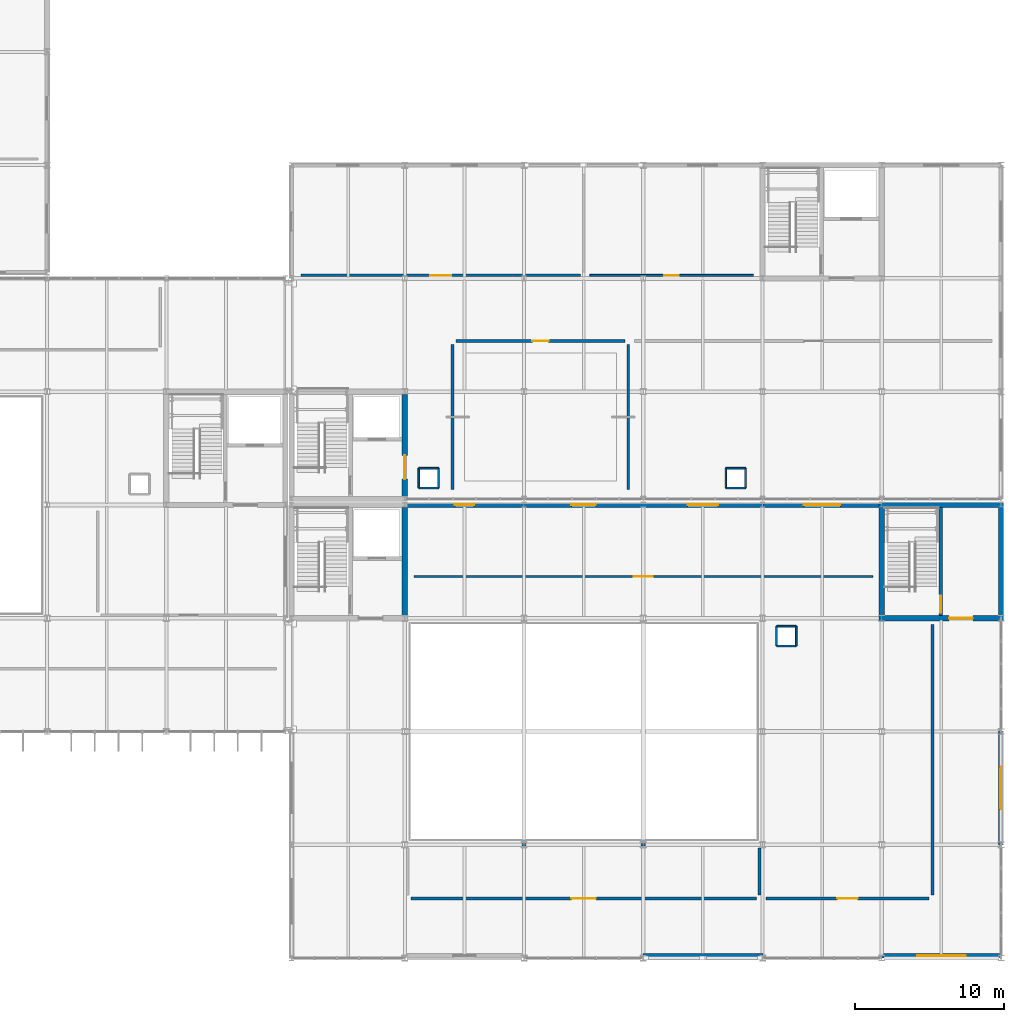
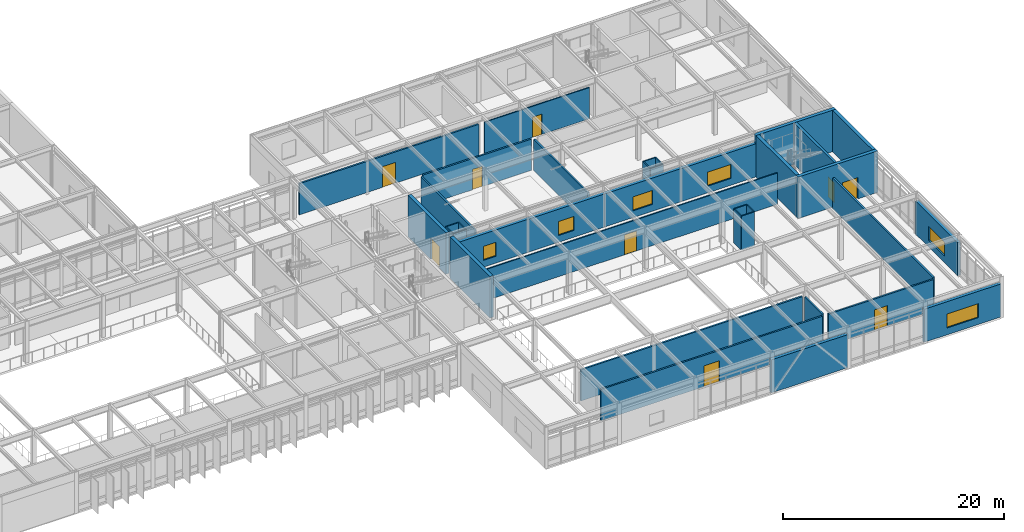
# One storey, part 88 of 104: 37 walls, 9 doors, 6 windows, 15 openings.
"""IFC4 building model written with IfcOpenShell, lengths in metres."""

from ifc_helpers import new_model, si_unit, direction, frame, frame_2d, origin, place, context, subcontext, project, spatial, rectangle, extrude, material, layer, layer_set, type_object, element, fill, save


model = new_model("IFC4")

# Units and contexts
model_context = context("Model", 3, precision=1e-05, world=origin(), true_north=direction((0.0, 1.0)))
body_context = subcontext(model_context, "Body", "Model", "MODEL_VIEW")
ifc_project = project(units=[si_unit("LENGTHUNIT", "METRE"), si_unit("AREAUNIT", "SQUARE_METRE"), si_unit("VOLUMEUNIT", "CUBIC_METRE"), si_unit("PLANEANGLEUNIT", "RADIAN"), si_unit("MASSUNIT", "GRAM", prefix="KILO")], contexts=[model_context])

# Site, building, storey
site_placement = place(None, origin())
site = spatial("IfcSite", under=ifc_project, at=site_placement, CompositionType="ELEMENT")
building_placement = place(site_placement, origin())
building = spatial("IfcBuilding", under=site, at=building_placement, Name="Zulena Civic Courthouse", CompositionType="ELEMENT")
storey_placement = place(building_placement, frame((0.0, 0.0, 10.800048828125)))
storey = spatial("IfcBuildingStorey", under=building, at=storey_placement, Name="L02", CompositionType="ELEMENT", Elevation=10.800048828125)

# Wall, opening, door
ifc_material_1 = material(Name="Concrete C40/50", Category="concrete")
ifc_layer_1 = layer(ifc_material_1, 0.25)
ifc_layer_set_1 = layer_set([ifc_layer_1], Name="Concrete C40/50")
wall_type_1 = type_object("IfcWallType", Name="CoreShearWall_RC250", PredefinedType="SHEAR", material=ifc_layer_set_1)
wall_1_placement = place(storey_placement, frame((167.949951171875, 22.97509765625, 0.0), z_axis=(0.0, 0.0, 1.0), x_axis=(0.0, 1.0, 0.0)))
wall_1 = element("IfcWall", 1, at=wall_1_placement, inside=storey, type_object=wall_type_1, Name="cwall:K1B:L02:DIV", PredefinedType="SHEAR", context=body_context, shape_type="SweptSolid", body=[
    extrude(rectangle(XDim=7.25, YDim=0.25, at=frame_2d((3.625, 0.0))), origin(), (0.0, 0.0, 1.0), 4.58984375),
])
opening_1_placement = place(wall_1_placement, frame((0.179931640625, 0.0, 0.0)))
opening_1 = element("IfcOpeningElement", 2, at=opening_1_placement, cuts=wall_1, Name="Opening ID08", PredefinedType="OPENING", context=body_context, shape_type="SweptSolid", body=[
    extrude(rectangle(XDim=1.14990234375, YDim=2.199951171875, at=frame_2d((0.574951171875, 1.10009765625))), frame((0.0, 0.135009765625, 0.0), z_axis=(0.0, -1.0, 0.0), x_axis=(1.0, 0.0, 0.0)), (0.0, 0.0, 1.0), 0.27001953125),
])
ifc_material_2 = material(Name="Fire-rated galvanised steel ASTM A653 Grade 50", Category="steel")
door_type_1 = type_object("IfcDoorType", Name="IntDoor_Stair_1150x2200", OperationType="NOTDEFINED", PredefinedType="DOOR", material=ifc_material_2)
door_1_placement = place(opening_1_placement, origin())
door_1 = element("IfcDoor", 3, at=door_1_placement, inside=storey, type_object=door_type_1, Name="door:stair:K1B:L02", OperationType="SINGLE_SWING_LEFT", OverallHeight=2.199951171875, OverallWidth=1.14990234375, PredefinedType="DOOR", context=body_context, shape_type="SweptSolid", body=[
    extrude(rectangle(XDim=1.14990234375, YDim=2.199951171875, at=frame_2d((0.574951171875, 1.10009765625))), frame((0.0, 0.02490234375, 0.0), z_axis=(0.0, -1.0, 0.0), x_axis=(1.0, 0.0, 0.0)), (0.0, 0.0, 1.0), 0.050048828125),
])
fill(opening_1, door_1)

# Wall
ifc_layer_2 = layer(ifc_material_1, 0.35009765625)
ifc_layer_set_2 = layer_set([ifc_layer_2], Name="Concrete C40/50")
wall_type_2 = type_object("IfcWallType", Name="CoreShearWall_RC350", PredefinedType="SHEAR", material=ifc_layer_set_2)
wall_2_placement = place(storey_placement, frame((132.0, 22.97509765625, 0.0), z_axis=(0.0, 0.0, 1.0), x_axis=(0.0, 1.0, 0.0)))
element("IfcWall", 4, at=wall_2_placement, inside=storey, type_object=wall_type_2, Name="cwall:K1A:L02:E", PredefinedType="SHEAR", context=body_context, shape_type="SweptSolid", body=[
    extrude(rectangle(XDim=7.25, YDim=0.35009765625, at=frame_2d((3.625, 0.0))), origin(), (0.0, 0.0, 1.0), 4.58984375),
])

# Wall, opening, door
wall_3_placement = place(storey_placement, frame((163.824951171875, 22.800048828125, 0.0), z_axis=(0.0, 0.0, 1.0), x_axis=(1.0, 0.0, 0.0)))
wall_3 = element("IfcWall", 5, at=wall_3_placement, inside=storey, type_object=wall_type_2, Name="cwall:K1B:L02:S", PredefinedType="SHEAR", context=body_context, shape_type="SweptSolid", body=[
    extrude(rectangle(XDim=8.35009765625, YDim=0.35009765625, at=frame_2d((4.175048828125, 0.0))), origin(), (0.0, 0.0, 1.0), 4.58984375),
])
opening_2_placement = place(wall_3_placement, frame((4.68505859375, 0.0, 0.0)))
opening_2 = element("IfcOpeningElement", 6, at=opening_2_placement, cuts=wall_3, Name="Opening ID04", PredefinedType="OPENING", context=body_context, shape_type="SweptSolid", body=[
    extrude(rectangle(XDim=1.60009765625, YDim=2.35009765625, at=frame_2d((0.800048828125, 1.175048828125))), frame((0.0, 0.18505859375, 0.0), z_axis=(0.0, -1.0, 0.0), x_axis=(1.0, 0.0, 0.0)), (0.0, 0.0, 1.0), 0.3701171875),
])
ifc_material_3 = material(Name="Solid-core acoustic hardwood timber", Category="wood")
door_type_2 = type_object("IfcDoorType", Name="IntDoor_CourtPublic_1600x2350", OperationType="DOUBLE_DOOR_SINGLE_SWING", PredefinedType="DOOR", material=ifc_material_3)
door_2_placement = place(opening_2_placement, origin())
door_2 = element("IfcDoor", 7, at=door_2_placement, inside=storey, type_object=door_type_2, Name="door:corelob:K1B:L02", OperationType="DOUBLE_DOOR_SINGLE_SWING", OverallHeight=2.35009765625, OverallWidth=1.60009765625, PredefinedType="DOOR", context=body_context, shape_type="SweptSolid", body=[
    extrude(rectangle(XDim=1.60009765625, YDim=2.35009765625, at=frame_2d((0.800048828125, 1.175048828125))), frame((0.0, 0.02490234375, 0.0), z_axis=(0.0, -1.0, 0.0), x_axis=(1.0, 0.0, 0.0)), (0.0, 0.0, 1.0), 0.050048828125),
])
fill(opening_2, door_2)

# Walls
wall_4_placement = place(storey_placement, frame((163.824951171875, 30.39990234375, 0.0), z_axis=(0.0, 0.0, 1.0), x_axis=(1.0, 0.0, 0.0)))
element("IfcWall", 8, at=wall_4_placement, inside=storey, type_object=wall_type_2, Name="cwall:K1B:L02:N", PredefinedType="SHEAR", context=body_context, shape_type="SweptSolid", body=[
    extrude(rectangle(XDim=8.35009765625, YDim=0.35009765625, at=frame_2d((4.175048828125, 0.0))), origin(), (0.0, 0.0, 1.0), 4.58984375),
])
for number, where, z_axis, x_axis, name in (
    (9, (164.0, 22.97509765625, 0.0), (0.0, 0.0, 1.0), (0.0, 1.0, 0.0), "cwall:K1B:L02:W"),
    (10, (172.0, 22.97509765625, 0.0), (0.0, 0.0, 1.0), (0.0, 1.0, 0.0), "cwall:K1B:L02:E"),
):
    element("IfcWall", number, at=place(storey_placement, frame(where, z_axis=z_axis, x_axis=x_axis)), inside=storey, type_object=wall_type_2, Name=name, PredefinedType="SHEAR", context=body_context, shape_type="SweptSolid", body=[
        extrude(rectangle(XDim=7.25, YDim=0.35009765625, at=frame_2d((3.625, 0.0))), origin(), (0.0, 0.0, 1.0), 4.58984375),
    ])

# Wall, opening, door
wall_5_placement = place(storey_placement, frame((132.0, 30.97509765625, 0.0), z_axis=(0.0, 0.0, 1.0), x_axis=(0.0, 1.0, 0.0)))
wall_5 = element("IfcWall", 11, at=wall_5_placement, inside=storey, type_object=wall_type_2, Name="cwall:K3A:L02:E", PredefinedType="SHEAR", context=body_context, shape_type="SweptSolid", body=[
    extrude(rectangle(XDim=6.849853515625, YDim=0.35009765625, at=frame_2d((3.4248046875, 0.0))), origin(), (0.0, 0.0, 1.0), 4.58984375),
])
opening_3_placement = place(wall_5_placement, frame((1.14990234375, 0.0, 0.0)))
opening_3 = element("IfcOpeningElement", 12, at=opening_3_placement, cuts=wall_5, Name="Opening ID04", PredefinedType="OPENING", context=body_context, shape_type="SweptSolid", body=[
    extrude(rectangle(XDim=1.60009765625, YDim=2.35009765625, at=frame_2d((0.800048828125, 1.175048828125))), frame((0.0, 0.18505859375, 0.0), z_axis=(0.0, -1.0, 0.0), x_axis=(1.0, 0.0, 0.0)), (0.0, 0.0, 1.0), 0.3701171875),
])
door_3_placement = place(opening_3_placement, origin())
door_3 = element("IfcDoor", 13, at=door_3_placement, inside=storey, type_object=door_type_2, Name="door:corelob:K3A:L02", OperationType="DOUBLE_DOOR_SINGLE_SWING", OverallHeight=2.35009765625, OverallWidth=1.60009765625, PredefinedType="DOOR", context=body_context, shape_type="SweptSolid", body=[
    extrude(rectangle(XDim=1.60009765625, YDim=2.35009765625, at=frame_2d((0.800048828125, 1.175048828125))), frame((0.0, 0.02490234375, 0.0), z_axis=(0.0, -1.0, 0.0), x_axis=(1.0, 0.0, 0.0)), (0.0, 0.0, 1.0), 0.050048828125),
])
fill(opening_3, door_3)

# Wall, opening, window
ifc_material_4 = material(Name="Terracotta-rose architectural precast concrete C40/50", Category="masonry")
ifc_layer_3 = layer(ifc_material_4, 0.320068359375)
ifc_layer_set_3 = layer_set([ifc_layer_3], Name="Terracotta-rose architectural precast concrete C40/50")
wall_type_3 = type_object("IfcWallType", Name="ExtWall_TerraPrecast_320", PredefinedType="STANDARD", material=ifc_layer_set_3)
wall_6_placement = place(storey_placement, frame((131.97998046875, 30.39990234375, 0.0), z_axis=(0.0, 0.0, 1.0), x_axis=(1.0, 0.0, 0.0)))
wall_6 = element("IfcWall", 14, at=wall_6_placement, inside=storey, type_object=wall_type_3, Name="ewall:V1:L02:1:1", PredefinedType="STANDARD", context=body_context, shape_type="SweptSolid", body=[
    extrude(rectangle(XDim=8.0400390625, YDim=0.320068359375, at=frame_2d((4.02001953125, 0.0))), origin(), (0.0, 0.0, 1.0), 3.659912109375),
])
opening_4_placement = place(wall_6_placement, frame((3.3701171875, 0.0, 0.75)))
opening_4 = element("IfcOpeningElement", 15, at=opening_4_placement, cuts=wall_6, Name="Opening WN24", PredefinedType="OPENING", context=body_context, shape_type="SweptSolid", body=[
    extrude(rectangle(XDim=1.300048828125, YDim=1.550048828125, at=frame_2d((0.64990234375, 0.77490234375))), frame((0.0, 0.169921875, 0.0), z_axis=(0.0, -1.0, 0.0), x_axis=(1.0, 0.0, 0.0)), (0.0, 0.0, 1.0), 0.340087890625),
])
ifc_material_5 = material(Name="Double-silver low-E laminated solar-control glass", Category="glass")
window_type_1 = type_object("IfcWindowType", Name="Win_1300x1550", PartitioningType="SINGLE_PANEL", PredefinedType="WINDOW", material=ifc_material_5)
window_1_placement = place(opening_4_placement, origin())
window_1 = element("IfcWindow", 16, at=window_1_placement, inside=storey, type_object=window_type_1, Name="win:V1:L02:1:1", OverallHeight=1.550048828125, OverallWidth=1.300048828125, PartitioningType="SINGLE_PANEL", PredefinedType="WINDOW", context=body_context, shape_type="SweptSolid", body=[
    extrude(rectangle(XDim=1.300048828125, YDim=1.550048828125, at=frame_2d((0.64990234375, 0.77490234375))), frame((0.0, 0.030029296875, 0.0), z_axis=(0.0, -1.0, 0.0), x_axis=(1.0, 0.0, 0.0)), (0.0, 0.0, 1.0), 0.06005859375),
])
fill(opening_4, window_1)

wall_7_placement = place(storey_placement, frame((139.97998046875, 30.39990234375, 0.0), z_axis=(0.0, 0.0, 1.0), x_axis=(1.0, 0.0, 0.0)))
wall_7 = element("IfcWall", 17, at=wall_7_placement, inside=storey, type_object=wall_type_3, Name="ewall:V1:L02:1:2", PredefinedType="STANDARD", context=body_context, shape_type="SweptSolid", body=[
    extrude(rectangle(XDim=8.0400390625, YDim=0.320068359375, at=frame_2d((4.02001953125, 0.0))), origin(), (0.0, 0.0, 1.0), 3.659912109375),
])
opening_5_placement = place(wall_7_placement, frame((3.195068359375, 0.0, 0.75)))
opening_5 = element("IfcOpeningElement", 18, at=opening_5_placement, cuts=wall_7, Name="Opening WN25", PredefinedType="OPENING", context=body_context, shape_type="SweptSolid", body=[
    extrude(rectangle(XDim=1.64990234375, YDim=1.550048828125, at=frame_2d((0.824951171875, 0.77490234375))), frame((0.0, 0.169921875, 0.0), z_axis=(0.0, -1.0, 0.0), x_axis=(1.0, 0.0, 0.0)), (0.0, 0.0, 1.0), 0.340087890625),
])
window_type_2 = type_object("IfcWindowType", Name="Win_1650x1550", PartitioningType="SINGLE_PANEL", PredefinedType="WINDOW", material=ifc_material_5)
window_2_placement = place(opening_5_placement, origin())
window_2 = element("IfcWindow", 19, at=window_2_placement, inside=storey, type_object=window_type_2, Name="win:V1:L02:1:2", OverallHeight=1.550048828125, OverallWidth=1.64990234375, PartitioningType="SINGLE_PANEL", PredefinedType="WINDOW", context=body_context, shape_type="SweptSolid", body=[
    extrude(rectangle(XDim=1.64990234375, YDim=1.550048828125, at=frame_2d((0.824951171875, 0.77490234375))), frame((0.0, 0.030029296875, 0.0), z_axis=(0.0, -1.0, 0.0), x_axis=(1.0, 0.0, 0.0)), (0.0, 0.0, 1.0), 0.06005859375),
])
fill(opening_5, window_2)

wall_8_placement = place(storey_placement, frame((147.97998046875, 30.39990234375, 0.0), z_axis=(0.0, 0.0, 1.0), x_axis=(1.0, 0.0, 0.0)))
wall_8 = element("IfcWall", 20, at=wall_8_placement, inside=storey, type_object=wall_type_3, Name="ewall:V1:L02:1:3", PredefinedType="STANDARD", context=body_context, shape_type="SweptSolid", body=[
    extrude(rectangle(XDim=8.0400390625, YDim=0.320068359375, at=frame_2d((4.02001953125, 0.0))), origin(), (0.0, 0.0, 1.0), 3.659912109375),
])
opening_6_placement = place(wall_8_placement, frame((2.9951171875, 0.0, 0.75)))
opening_6 = element("IfcOpeningElement", 21, at=opening_6_placement, cuts=wall_8, Name="Opening WN26", PredefinedType="OPENING", context=body_context, shape_type="SweptSolid", body=[
    extrude(rectangle(XDim=2.050048828125, YDim=1.550048828125, at=frame_2d((1.02490234375, 0.77490234375))), frame((0.0, 0.169921875, 0.0), z_axis=(0.0, -1.0, 0.0), x_axis=(1.0, 0.0, 0.0)), (0.0, 0.0, 1.0), 0.340087890625),
])
window_type_3 = type_object("IfcWindowType", Name="Win_2050x1550", PartitioningType="DOUBLE_PANEL_VERTICAL", PredefinedType="WINDOW", material=ifc_material_5)
window_3_placement = place(opening_6_placement, origin())
window_3 = element("IfcWindow", 22, at=window_3_placement, inside=storey, type_object=window_type_3, Name="win:V1:L02:1:3", OverallHeight=1.550048828125, OverallWidth=2.050048828125, PartitioningType="SINGLE_PANEL", PredefinedType="WINDOW", context=body_context, shape_type="SweptSolid", body=[
    extrude(rectangle(XDim=2.050048828125, YDim=1.550048828125, at=frame_2d((1.02490234375, 0.77490234375))), frame((0.0, 0.030029296875, 0.0), z_axis=(0.0, -1.0, 0.0), x_axis=(1.0, 0.0, 0.0)), (0.0, 0.0, 1.0), 0.06005859375),
])
fill(opening_6, window_3)

wall_9_placement = place(storey_placement, frame((155.97998046875, 30.39990234375, 0.0), z_axis=(0.0, 0.0, 1.0), x_axis=(1.0, 0.0, 0.0)))
wall_9 = element("IfcWall", 23, at=wall_9_placement, inside=storey, type_object=wall_type_3, Name="ewall:V1:L02:1:4", PredefinedType="STANDARD", context=body_context, shape_type="SweptSolid", body=[
    extrude(rectangle(XDim=8.0400390625, YDim=0.320068359375, at=frame_2d((4.02001953125, 0.0))), origin(), (0.0, 0.0, 1.0), 3.659912109375),
])
opening_7_placement = place(wall_9_placement, frame((2.794921875, 0.0, 0.75)))
opening_7 = element("IfcOpeningElement", 24, at=opening_7_placement, cuts=wall_9, Name="Opening WN27", PredefinedType="OPENING", context=body_context, shape_type="SweptSolid", body=[
    extrude(rectangle(XDim=2.449951171875, YDim=1.550048828125, at=frame_2d((1.22509765625, 0.77490234375))), frame((0.0, 0.169921875, 0.0), z_axis=(0.0, -1.0, 0.0), x_axis=(1.0, 0.0, 0.0)), (0.0, 0.0, 1.0), 0.340087890625),
])
window_type_4 = type_object("IfcWindowType", Name="Win_2450x1550", PartitioningType="DOUBLE_PANEL_VERTICAL", PredefinedType="WINDOW", material=ifc_material_5)
window_4_placement = place(opening_7_placement, origin())
window_4 = element("IfcWindow", 25, at=window_4_placement, inside=storey, type_object=window_type_4, Name="win:V1:L02:1:4", OverallHeight=1.550048828125, OverallWidth=2.449951171875, PartitioningType="SINGLE_PANEL", PredefinedType="WINDOW", context=body_context, shape_type="SweptSolid", body=[
    extrude(rectangle(XDim=2.449951171875, YDim=1.550048828125, at=frame_2d((1.22509765625, 0.77490234375))), frame((0.0, 0.030029296875, 0.0), z_axis=(0.0, -1.0, 0.0), x_axis=(1.0, 0.0, 0.0)), (0.0, 0.0, 1.0), 0.06005859375),
])
fill(opening_7, window_4)

wall_10_placement = place(storey_placement, frame((172.0, 15.219970703125, 0.0), z_axis=(0.0, 0.0, 1.0), x_axis=(0.0, -1.0, 0.0)))
wall_10 = element("IfcWall", 26, at=wall_10_placement, inside=storey, type_object=wall_type_3, Name="ewall:V1:L02:2:2", PredefinedType="STANDARD", context=body_context, shape_type="SweptSolid", body=[
    extrude(rectangle(XDim=7.639892578125, YDim=0.320068359375, at=frame_2d((3.81982421875, 0.0))), origin(), (0.0, 0.0, 1.0), 3.659912109375),
])
opening_8_placement = place(wall_10_placement, frame((2.39501953125, 0.0, 0.75)))
opening_8 = element("IfcOpeningElement", 27, at=opening_8_placement, cuts=wall_10, Name="Opening WN28", PredefinedType="OPENING", context=body_context, shape_type="SweptSolid", body=[
    extrude(rectangle(XDim=2.85009765625, YDim=1.550048828125, at=frame_2d((1.425048828125, 0.77490234375))), frame((0.0, 0.169921875, 0.0), z_axis=(0.0, -1.0, 0.0), x_axis=(1.0, 0.0, 0.0)), (0.0, 0.0, 1.0), 0.340087890625),
])
window_type_5 = type_object("IfcWindowType", Name="Win_2850x1550", PartitioningType="DOUBLE_PANEL_VERTICAL", PredefinedType="WINDOW", material=ifc_material_5)
window_5_placement = place(opening_8_placement, origin())
window_5 = element("IfcWindow", 28, at=window_5_placement, inside=storey, type_object=window_type_5, Name="win:V1:L02:2:2", OverallHeight=1.550048828125, OverallWidth=2.85009765625, PartitioningType="SINGLE_PANEL", PredefinedType="WINDOW", context=body_context, shape_type="SweptSolid", body=[
    extrude(rectangle(XDim=2.85009765625, YDim=1.550048828125, at=frame_2d((1.425048828125, 0.77490234375))), frame((0.0, 0.030029296875, 0.0), z_axis=(0.0, -1.0, 0.0), x_axis=(1.0, 0.0, 0.0)), (0.0, 0.0, 1.0), 0.06005859375),
])
fill(opening_8, window_5)

wall_11_placement = place(storey_placement, frame((172.02001953125, 0.159912109375, 0.0), z_axis=(0.0, 0.0, 1.0), x_axis=(-1.0, 0.0, 0.0)))
wall_11 = element("IfcWall", 29, at=wall_11_placement, inside=storey, type_object=wall_type_3, Name="ewall:V1:L02:3:0", PredefinedType="STANDARD", context=body_context, shape_type="SweptSolid", body=[
    extrude(rectangle(XDim=8.0400390625, YDim=0.320068359375, at=frame_2d((4.02001953125, 0.0))), origin(), (0.0, 0.0, 1.0), 3.659912109375),
])
opening_9_placement = place(wall_11_placement, frame((2.39501953125, 0.0, 0.75)))
opening_9 = element("IfcOpeningElement", 30, at=opening_9_placement, cuts=wall_11, Name="Opening WN29", PredefinedType="OPENING", context=body_context, shape_type="SweptSolid", body=[
    extrude(rectangle(XDim=3.25, YDim=1.550048828125, at=frame_2d((1.625, 0.77490234375))), frame((0.0, 0.169921875, 0.0), z_axis=(0.0, -1.0, 0.0), x_axis=(1.0, 0.0, 0.0)), (0.0, 0.0, 1.0), 0.340087890625),
])
window_type_6 = type_object("IfcWindowType", Name="Win_3250x1550", PartitioningType="DOUBLE_PANEL_VERTICAL", PredefinedType="WINDOW", material=ifc_material_5)
window_6_placement = place(opening_9_placement, origin())
window_6 = element("IfcWindow", 31, at=window_6_placement, inside=storey, type_object=window_type_6, Name="win:V1:L02:3:0", OverallHeight=1.550048828125, OverallWidth=3.25, PartitioningType="SINGLE_PANEL", PredefinedType="WINDOW", context=body_context, shape_type="SweptSolid", body=[
    extrude(rectangle(XDim=3.25, YDim=1.550048828125, at=frame_2d((1.625, 0.77490234375))), frame((0.0, 0.030029296875, 0.0), z_axis=(0.0, -1.0, 0.0), x_axis=(1.0, 0.0, 0.0)), (0.0, 0.0, 1.0), 0.06005859375),
])
fill(opening_9, window_6)

# Wall
wall_12_placement = place(storey_placement, frame((156.02001953125, 0.159912109375, 0.0), z_axis=(0.0, 0.0, 1.0), x_axis=(-1.0, 0.0, 0.0)))
element("IfcWall", 32, at=wall_12_placement, inside=storey, type_object=wall_type_3, Name="ewall:V1:L02:3:2", PredefinedType="STANDARD", context=body_context, shape_type="SweptSolid", body=[
    extrude(rectangle(XDim=8.0400390625, YDim=0.320068359375, at=frame_2d((4.02001953125, 0.0))), origin(), (0.0, 0.0, 1.0), 3.659912109375),
])

# Wall, opening, door
ifc_material_6 = material(Name="Acoustic fire-rated gypsum board assembly", Category="masonry")
ifc_layer_4 = layer(ifc_material_6, 0.177978515625)
ifc_layer_set_4 = layer_set([ifc_layer_4], Name="Acoustic fire-rated gypsum board assembly")
wall_type_4 = type_object("IfcWallType", Name="PartWall_Corridor_178", PredefinedType="PARTITIONING", material=ifc_layer_set_4)
wall_13_placement = place(storey_placement, frame((132.419921875, 4.0, 0.0), z_axis=(0.0, 0.0, 1.0), x_axis=(1.0, 0.0, 0.0)))
wall_13 = element("IfcWall", 33, at=wall_13_placement, inside=storey, type_object=wall_type_4, Name="pwall:L02:222:0", PredefinedType="PARTITIONING", context=body_context, shape_type="SweptSolid", body=[
    extrude(rectangle(XDim=23.16015625, YDim=0.177978515625, at=frame_2d((11.580078125, 0.0))), origin(), (0.0, 0.0, 1.0), 3.449951171875),
])
opening_10_placement = place(wall_13_placement, frame((10.7548828125, 0.0, 0.0)))
opening_10 = element("IfcOpeningElement", 34, at=opening_10_placement, cuts=wall_13, Name="Opening ID18", PredefinedType="OPENING", context=body_context, shape_type="SweptSolid", body=[
    extrude(rectangle(XDim=1.64990234375, YDim=2.300048828125, at=frame_2d((0.824951171875, 1.14990234375))), frame((0.0, 0.098876953125, 0.0), z_axis=(0.0, -1.0, 0.0), x_axis=(1.0, 0.0, 0.0)), (0.0, 0.0, 1.0), 0.197998046875),
])
door_type_3 = type_object("IfcDoorType", Name="IntDoor_Library_1650x2300", OperationType="DOUBLE_DOOR_SINGLE_SWING", PredefinedType="DOOR", material=ifc_material_3)
door_4_placement = place(opening_10_placement, origin())
door_4 = element("IfcDoor", 35, at=door_4_placement, inside=storey, type_object=door_type_3, Name="door:rm:L02:222", OperationType="DOUBLE_DOOR_SINGLE_SWING", OverallHeight=2.300048828125, OverallWidth=1.64990234375, PredefinedType="DOOR", context=body_context, shape_type="SweptSolid", body=[
    extrude(rectangle(XDim=1.64990234375, YDim=2.300048828125, at=frame_2d((0.824951171875, 1.14990234375))), frame((0.0, 0.02490234375, 0.0), z_axis=(0.0, -1.0, 0.0), x_axis=(1.0, 0.0, 0.0)), (0.0, 0.0, 1.0), 0.050048828125),
])
fill(opening_10, door_4)

# Walls
wall_14_placement = place(storey_placement, frame((132.419921875, 7.60009765625, 0.0), z_axis=(0.0, 0.0, 1.0), x_axis=(1.0, 0.0, 0.0)))
element("IfcWall", 36, at=wall_14_placement, inside=storey, type_object=wall_type_4, Name="pwall:L02:222:2", PredefinedType="PARTITIONING", context=body_context, shape_type="SweptSolid", body=[
    extrude(rectangle(XDim=23.16015625, YDim=0.177978515625, at=frame_2d((11.580078125, 0.0))), origin(), (0.0, 0.0, 1.0), 3.449951171875),
])
wall_15_placement = place(storey_placement, frame((155.800048828125, 4.219970703125, 0.0), z_axis=(0.0, 0.0, 1.0), x_axis=(0.0, 1.0, 0.0)))
element("IfcWall", 37, at=wall_15_placement, inside=storey, type_object=wall_type_4, Name="pwall:L02:222:3", PredefinedType="PARTITIONING", context=body_context, shape_type="SweptSolid", body=[
    extrude(rectangle(XDim=3.159912109375, YDim=0.177978515625, at=frame_2d((1.580078125, 0.0))), origin(), (0.0, 0.0, 1.0), 3.449951171875),
])

# Wall, opening, door
wall_16_placement = place(storey_placement, frame((156.219970703125, 4.0, 0.0), z_axis=(0.0, 0.0, 1.0), x_axis=(1.0, 0.0, 0.0)))
wall_16 = element("IfcWall", 38, at=wall_16_placement, inside=storey, type_object=wall_type_4, Name="pwall:L02:223:0", PredefinedType="PARTITIONING", context=body_context, shape_type="SweptSolid", body=[
    extrude(rectangle(XDim=10.9599609375, YDim=0.177978515625, at=frame_2d((5.47998046875, 0.0))), origin(), (0.0, 0.0, 1.0), 3.449951171875),
])
opening_11_placement = place(wall_16_placement, frame((4.804931640625, 0.0, 0.0)))
opening_11 = element("IfcOpeningElement", 39, at=opening_11_placement, cuts=wall_16, Name="Opening ID19", PredefinedType="OPENING", context=body_context, shape_type="SweptSolid", body=[
    extrude(rectangle(XDim=1.35009765625, YDim=2.25, at=frame_2d((0.675048828125, 1.125))), frame((0.0, 0.098876953125, 0.0), z_axis=(0.0, -1.0, 0.0), x_axis=(1.0, 0.0, 0.0)), (0.0, 0.0, 1.0), 0.197998046875),
])
door_type_4 = type_object("IfcDoorType", Name="IntDoor_Library_1350x2250", OperationType="NOTDEFINED", PredefinedType="DOOR", material=ifc_material_3)
door_5_placement = place(opening_11_placement, origin())
door_5 = element("IfcDoor", 40, at=door_5_placement, inside=storey, type_object=door_type_4, Name="door:rm:L02:223", OperationType="SINGLE_SWING_RIGHT", OverallHeight=2.25, OverallWidth=1.35009765625, PredefinedType="DOOR", context=body_context, shape_type="SweptSolid", body=[
    extrude(rectangle(XDim=1.35009765625, YDim=2.25, at=frame_2d((0.675048828125, 1.125))), frame((0.0, 0.02490234375, 0.0), z_axis=(0.0, -1.0, 0.0), x_axis=(1.0, 0.0, 0.0)), (0.0, 0.0, 1.0), 0.050048828125),
])
fill(opening_11, door_5)

# Wall
wall_17_placement = place(storey_placement, frame((167.39990234375, 4.219970703125, 0.0), z_axis=(0.0, 0.0, 1.0), x_axis=(0.0, 1.0, 0.0)))
element("IfcWall", 41, at=wall_17_placement, inside=storey, type_object=wall_type_4, Name="pwall:L02:223:1", PredefinedType="PARTITIONING", context=body_context, shape_type="SweptSolid", body=[
    extrude(rectangle(XDim=18.159912109375, YDim=0.177978515625, at=frame_2d((9.080078125, 0.0))), origin(), (0.0, 0.0, 1.0), 3.449951171875),
])

# Wall, opening, door
wall_18_placement = place(storey_placement, frame((135.419921875, 41.39990234375, 0.0), z_axis=(0.0, 0.0, 1.0), x_axis=(1.0, 0.0, 0.0)))
wall_18 = element("IfcWall", 42, at=wall_18_placement, inside=storey, type_object=wall_type_4, Name="pwall:L02:269:0", PredefinedType="PARTITIONING", context=body_context, shape_type="SweptSolid", body=[
    extrude(rectangle(XDim=11.360107421875, YDim=0.177978515625, at=frame_2d((5.68017578125, 0.0))), origin(), (0.0, 0.0, 1.0), 3.449951171875),
])
opening_12_placement = place(wall_18_placement, frame((5.139892578125, 0.0, 0.0)))
opening_12 = element("IfcOpeningElement", 43, at=opening_12_placement, cuts=wall_18, Name="Opening ID26", PredefinedType="OPENING", context=body_context, shape_type="SweptSolid", body=[
    extrude(rectangle(XDim=1.080078125, YDim=2.25, at=frame_2d((0.5400390625, 1.125))), frame((0.0, 0.098876953125, 0.0), z_axis=(0.0, -1.0, 0.0), x_axis=(1.0, 0.0, 0.0)), (0.0, 0.0, 1.0), 0.197998046875),
])
door_type_5 = type_object("IfcDoorType", Name="IntDoor_PlantSingle_1080x2250", OperationType="NOTDEFINED", PredefinedType="DOOR", material=ifc_material_2)
door_6_placement = place(opening_12_placement, origin())
door_6 = element("IfcDoor", 44, at=door_6_placement, inside=storey, type_object=door_type_5, Name="door:rm:L02:269", OperationType="SINGLE_SWING_RIGHT", OverallHeight=2.25, OverallWidth=1.080078125, PredefinedType="DOOR", context=body_context, shape_type="SweptSolid", body=[
    extrude(rectangle(XDim=1.080078125, YDim=2.25, at=frame_2d((0.5400390625, 1.125))), frame((0.0, 0.02490234375, 0.0), z_axis=(0.0, -1.0, 0.0), x_axis=(1.0, 0.0, 0.0)), (0.0, 0.0, 1.0), 0.050048828125),
])
fill(opening_12, door_6)

# Walls
for number, where, z_axis, x_axis, name in (
    (45, (147.0, 31.419921875, 0.0), (0.0, 0.0, 1.0), (0.0, 1.0, 0.0), "pwall:L02:269:1"),
    (46, (135.199951171875, 31.419921875, 0.0), (0.0, 0.0, 1.0), (0.0, 1.0, 0.0), "pwall:L02:269:2"),
):
    element("IfcWall", number, at=place(storey_placement, frame(where, z_axis=z_axis, x_axis=x_axis)), inside=storey, type_object=wall_type_4, Name=name, PredefinedType="PARTITIONING", context=body_context, shape_type="SweptSolid", body=[
        extrude(rectangle(XDim=9.760009765625, YDim=0.177978515625, at=frame_2d((4.8798828125, 0.0))), origin(), (0.0, 0.0, 1.0), 3.449951171875),
    ])

# Wall, opening, door
wall_19_placement = place(storey_placement, frame((125.02001953125, 45.800048828125, 0.0), z_axis=(0.0, 0.0, 1.0), x_axis=(1.0, 0.0, 0.0)))
wall_19 = element("IfcWall", 47, at=wall_19_placement, inside=storey, type_object=wall_type_4, Name="pwall:L02:271:0", PredefinedType="PARTITIONING", context=body_context, shape_type="SweptSolid", body=[
    extrude(rectangle(XDim=18.760009765625, YDim=0.177978515625, at=frame_2d((9.3798828125, 0.0))), origin(), (0.0, 0.0, 1.0), 3.449951171875),
])
opening_13_placement = place(wall_19_placement, frame((8.679931640625, 0.0, 0.0)))
opening_13 = element("IfcOpeningElement", 48, at=opening_13_placement, cuts=wall_19, Name="Opening ID28", PredefinedType="OPENING", context=body_context, shape_type="SweptSolid", body=[
    extrude(rectangle(XDim=1.39990234375, YDim=2.300048828125, at=frame_2d((0.699951171875, 1.14990234375))), frame((0.0, 0.098876953125, 0.0), z_axis=(0.0, -1.0, 0.0), x_axis=(1.0, 0.0, 0.0)), (0.0, 0.0, 1.0), 0.197998046875),
])
door_type_6 = type_object("IfcDoorType", Name="IntDoor_Cafe_1400x2300", OperationType="DOUBLE_DOOR_SINGLE_SWING", PredefinedType="DOOR", material=ifc_material_3)
door_7_placement = place(opening_13_placement, origin())
door_7 = element("IfcDoor", 49, at=door_7_placement, inside=storey, type_object=door_type_6, Name="door:rm:L02:271", OperationType="DOUBLE_DOOR_SINGLE_SWING", OverallHeight=2.300048828125, OverallWidth=1.39990234375, PredefinedType="DOOR", context=body_context, shape_type="SweptSolid", body=[
    extrude(rectangle(XDim=1.39990234375, YDim=2.300048828125, at=frame_2d((0.699951171875, 1.14990234375))), frame((0.0, 0.02490234375, 0.0), z_axis=(0.0, -1.0, 0.0), x_axis=(1.0, 0.0, 0.0)), (0.0, 0.0, 1.0), 0.050048828125),
])
fill(opening_13, door_7)

# Walls
ifc_material_7 = material(Name="Insulated blockwork masonry ASTM C90", Category="masonry")
ifc_layer_5 = layer(ifc_material_7, 0.114990234375)
ifc_layer_set_5 = layer_set([ifc_layer_5], Name="Insulated blockwork masonry ASTM C90")
wall_type_5 = type_object("IfcWallType", Name="PartWall_Riser_115", PredefinedType="PARTITIONING", material=ifc_layer_set_5)
for number, where, z_axis, x_axis, name in (
    (50, (156.93994140625, 20.93994140625, 0.0), (0.0, 0.0, 1.0), (1.0, 0.0, 0.0), "riser:RS-V1E:L02:0"),
    (51, (158.260009765625, 20.93994140625, 0.0), (0.0, 0.0, 1.0), (0.0, 1.0, 0.0), "riser:RS-V1E:L02:1"),
    (52, (158.260009765625, 22.260009765625, 0.0), (0.0, 0.0, 1.0), (-1.0, 0.0, 0.0), "riser:RS-V1E:L02:2"),
    (53, (156.93994140625, 22.260009765625, 0.0), (0.0, 0.0, 1.0), (0.0, -1.0, 0.0), "riser:RS-V1E:L02:3"),
    (54, (132.93994140625, 31.5400390625, 0.0), (0.0, 0.0, 1.0), (1.0, 0.0, 0.0), "riser:RS-V3W:L02:0"),
    (55, (134.260009765625, 31.5400390625, 0.0), (0.0, 0.0, 1.0), (0.0, 1.0, 0.0), "riser:RS-V3W:L02:1"),
    (56, (134.260009765625, 32.860107421875, 0.0), (0.0, 0.0, 1.0), (-1.0, 0.0, 0.0), "riser:RS-V3W:L02:2"),
    (57, (132.93994140625, 32.860107421875, 0.0), (0.0, 0.0, 1.0), (0.0, -1.0, 0.0), "riser:RS-V3W:L02:3"),
    (58, (153.5400390625, 31.5400390625, 0.0), (0.0, 0.0, 1.0), (1.0, 0.0, 0.0), "riser:RS-V3E:L02:0"),
    (59, (154.860107421875, 31.5400390625, 0.0), (0.0, 0.0, 1.0), (0.0, 1.0, 0.0), "riser:RS-V3E:L02:1"),
    (60, (154.860107421875, 32.860107421875, 0.0), (0.0, 0.0, 1.0), (-1.0, 0.0, 0.0), "riser:RS-V3E:L02:2"),
    (61, (153.5400390625, 32.860107421875, 0.0), (0.0, 0.0, 1.0), (0.0, -1.0, 0.0), "riser:RS-V3E:L02:3"),
):
    element("IfcWall", number, at=place(storey_placement, frame(where, z_axis=z_axis, x_axis=x_axis)), inside=storey, type_object=wall_type_5, Name=name, PredefinedType="PARTITIONING", context=body_context, shape_type="SweptSolid", body=[
        extrude(rectangle(XDim=1.320068359375, YDim=0.114990234375, at=frame_2d((0.66015625, 0.0))), origin(), (0.0, 0.0, 1.0), 3.75),
    ])

# Wall, opening, door
ifc_layer_6 = layer(ifc_material_7, 0.1279296875)
ifc_layer_set_6 = layer_set([ifc_layer_6], Name="Insulated blockwork masonry ASTM C90")
wall_type_6 = type_object("IfcWallType", Name="PartWall_WetRoom_128", PredefinedType="PARTITIONING", material=ifc_layer_set_6)
wall_20_placement = place(storey_placement, frame((132.6201171875, 25.60009765625, 0.0), z_axis=(0.0, 0.0, 1.0), x_axis=(1.0, 0.0, 0.0)))
wall_20 = element("IfcWall", 62, at=wall_20_placement, inside=storey, type_object=wall_type_6, Name="pwall:L02:224:0", PredefinedType="PARTITIONING", context=body_context, shape_type="SweptSolid", body=[
    extrude(rectangle(XDim=30.759765625, YDim=0.1279296875, at=frame_2d((15.3798828125, 0.0))), origin(), (0.0, 0.0, 1.0), 3.449951171875),
])
opening_14_placement = place(wall_20_placement, frame((14.72998046875, 0.0, 0.0)))
opening_14 = element("IfcOpeningElement", 63, at=opening_14_placement, cuts=wall_20, Name="Opening ID20", PredefinedType="OPENING", context=body_context, shape_type="SweptSolid", body=[
    extrude(rectangle(XDim=1.300048828125, YDim=2.199951171875, at=frame_2d((0.64990234375, 1.10009765625))), frame((0.0, 0.073974609375, 0.0), z_axis=(0.0, -1.0, 0.0), x_axis=(1.0, 0.0, 0.0)), (0.0, 0.0, 1.0), 0.14794921875),
])
door_type_7 = type_object("IfcDoorType", Name="IntDoor_Archive_1300x2200", OperationType="NOTDEFINED", PredefinedType="DOOR", material=ifc_material_2)
door_8_placement = place(opening_14_placement, origin())
door_8 = element("IfcDoor", 64, at=door_8_placement, inside=storey, type_object=door_type_7, Name="door:rm:L02:224", OperationType="SINGLE_SWING_LEFT", OverallHeight=2.199951171875, OverallWidth=1.300048828125, PredefinedType="DOOR", context=body_context, shape_type="SweptSolid", body=[
    extrude(rectangle(XDim=1.300048828125, YDim=2.199951171875, at=frame_2d((0.64990234375, 1.10009765625))), frame((0.0, 0.02490234375, 0.0), z_axis=(0.0, -1.0, 0.0), x_axis=(1.0, 0.0, 0.0)), (0.0, 0.0, 1.0), 0.050048828125),
])
fill(opening_14, door_8)

wall_21_placement = place(storey_placement, frame((144.419921875, 45.800048828125, 0.0), z_axis=(0.0, 0.0, 1.0), x_axis=(1.0, 0.0, 0.0)))
wall_21 = element("IfcWall", 65, at=wall_21_placement, inside=storey, type_object=wall_type_6, Name="pwall:L02:272:0", PredefinedType="PARTITIONING", context=body_context, shape_type="SweptSolid", body=[
    extrude(rectangle(XDim=10.9599609375, YDim=0.1279296875, at=frame_2d((5.47998046875, 0.0))), origin(), (0.0, 0.0, 1.0), 3.449951171875),
])
opening_15_placement = place(wall_21_placement, frame((4.989990234375, 0.0, 0.0)))
opening_15 = element("IfcOpeningElement", 66, at=opening_15_placement, cuts=wall_21, Name="Opening ID29", PredefinedType="OPENING", context=body_context, shape_type="SweptSolid", body=[
    extrude(rectangle(XDim=0.97998046875, YDim=2.25, at=frame_2d((0.489990234375, 1.125))), frame((0.0, 0.073974609375, 0.0), z_axis=(0.0, -1.0, 0.0), x_axis=(1.0, 0.0, 0.0)), (0.0, 0.0, 1.0), 0.14794921875),
])
door_type_8 = type_object("IfcDoorType", Name="IntDoor_Clerks_980x2250", OperationType="NOTDEFINED", PredefinedType="DOOR", material=ifc_material_3)
door_9_placement = place(opening_15_placement, origin())
door_9 = element("IfcDoor", 67, at=door_9_placement, inside=storey, type_object=door_type_8, Name="door:rm:L02:272", OperationType="SINGLE_SWING_RIGHT", OverallHeight=2.25, OverallWidth=0.97998046875, PredefinedType="DOOR", context=body_context, shape_type="SweptSolid", body=[
    extrude(rectangle(XDim=0.97998046875, YDim=2.25, at=frame_2d((0.489990234375, 1.125))), frame((0.0, 0.02490234375, 0.0), z_axis=(0.0, -1.0, 0.0), x_axis=(1.0, 0.0, 0.0)), (0.0, 0.0, 1.0), 0.050048828125),
])
fill(opening_15, door_9)

save(model, "model.ifc")
